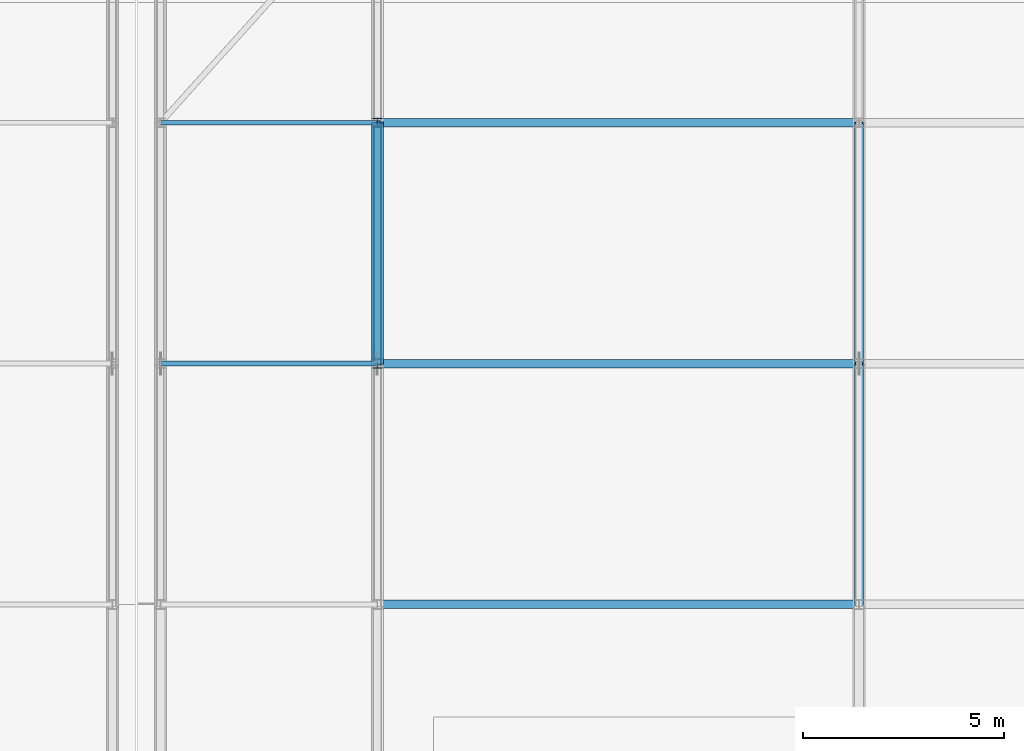
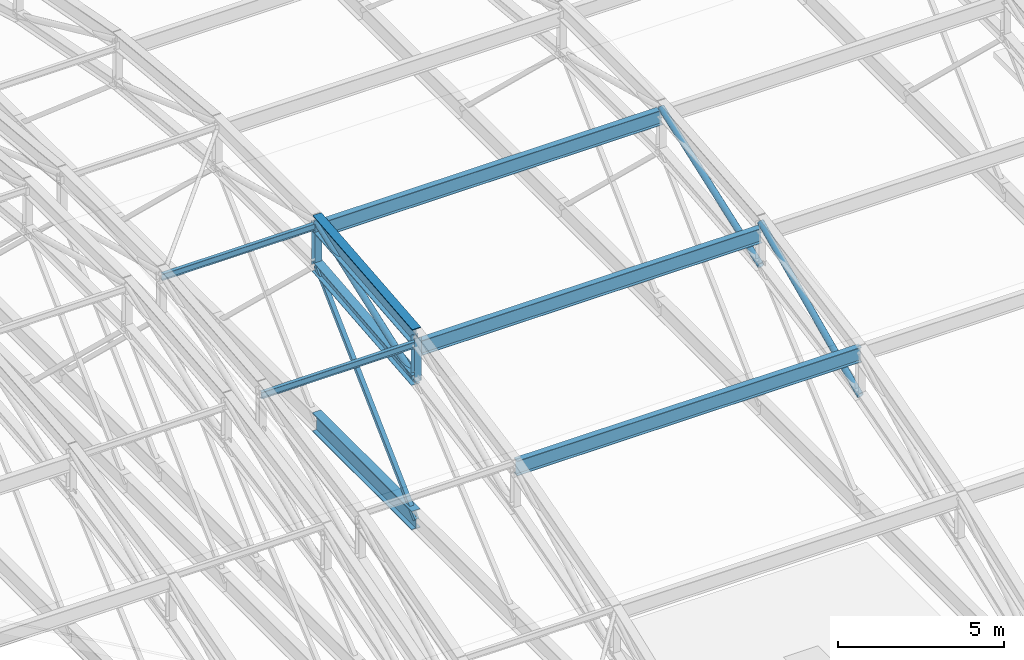
# One storey, part 126 of 204: 14 members.
"""IFC4 building model written with IfcOpenShell, lengths in metres."""

from ifc_helpers import new_model, si_unit, direction, frame, origin, origin_2d, place, context, subcontext, project, spatial, hollow_rectangle, hollow_circle, i_section, extrude, material, material_profile, profile_set, type_object, element, save


model = new_model("IFC4")

# Units and contexts
model_context = context("Model", 3, precision=1e-05, world=origin(), true_north=direction((0.0, 1.0)))
body_context = subcontext(model_context, "Body", "Model", "MODEL_VIEW")
ifc_project = project(units=[si_unit("LENGTHUNIT", "METRE"), si_unit("AREAUNIT", "SQUARE_METRE"), si_unit("VOLUMEUNIT", "CUBIC_METRE"), si_unit("PLANEANGLEUNIT", "RADIAN"), si_unit("MASSUNIT", "GRAM", prefix="KILO")], contexts=[model_context])

# Site, building, storey
site_placement = place(None, origin())
site = spatial("IfcSite", under=ifc_project, at=site_placement, CompositionType="ELEMENT")
building_placement = place(site_placement, origin())
building = spatial("IfcBuilding", under=site, at=building_placement, Name="Zilviju Railside Exhibition Hall", CompositionType="ELEMENT")
storey_placement = place(building_placement, frame((0.0, 0.0, 21.0)))
storey = spatial("IfcBuildingStorey", under=building, at=storey_placement, Name="RF", CompositionType="ELEMENT", Elevation=21.0)

# Members
ifc_material = material(Name="Steel S355J2", Category="steel")
ifc_material_profile_1 = material_profile(ifc_material, hollow_circle(Radius=0.109619140625, WallThickness=0.010009765625, at=origin_2d()), Name="CHS 219.1x10.0")
ifc_profile_set_1 = profile_set([ifc_material_profile_1], Name="Steel S355J2")
member_type_1 = type_object("IfcMemberType", Name="TR-BR-CHS219", PredefinedType="BRACE", material=ifc_profile_set_1)
member_1_placement = place(storey_placement, frame((180.0, 102.0, 1.5556640625), z_axis=(0.0, 0.940243888255, 0.340501733621), x_axis=(-1.0, 0.0, 0.0)))
element("IfcMember", 1, at=member_1_placement, inside=storey, type_object=member_type_1, Name="V2 Parabolic Arch Web Diagonal X=180.0 P4", PredefinedType="BRACE", context=body_context, shape_type="SweptSolid", body=[
    extrude(hollow_circle(Radius=0.109619140625, WallThickness=0.010009765625, at=origin_2d()), origin(), (0.0, 0.0, 1.0), 6.38134765625),
])
member_2_placement = place(storey_placement, frame((192.0, 96.0, 0.409912109375), z_axis=(0.0, 0.909316915895, 0.416104249518), x_axis=(-1.0, 0.0, 0.0)))
element("IfcMember", 2, at=member_2_placement, inside=storey, type_object=member_type_1, Name="V2 Parabolic Arch Web Diagonal X=192.0 P3", PredefinedType="BRACE", context=body_context, shape_type="SweptSolid", body=[
    extrude(hollow_circle(Radius=0.109619140625, WallThickness=0.010009765625, at=origin_2d()), origin(), (0.0, 0.0, 1.0), 6.598388671875),
])
member_3_placement = place(storey_placement, frame((192.0, 102.0, 1.5556640625), z_axis=(0.0, 0.940243888255, 0.340501733621), x_axis=(-1.0, 0.0, 0.0)))
element("IfcMember", 3, at=member_3_placement, inside=storey, type_object=member_type_1, Name="V2 Parabolic Arch Web Diagonal X=192.0 P4", PredefinedType="BRACE", context=body_context, shape_type="SweptSolid", body=[
    extrude(hollow_circle(Radius=0.109619140625, WallThickness=0.010009765625, at=origin_2d()), origin(), (0.0, 0.0, 1.0), 6.38134765625),
])
ifc_material_profile_2 = material_profile(ifc_material, i_section(OverallWidth=0.300048828125, OverallDepth=0.39990234375, WebThickness=0.013427734375, FlangeThickness=0.02392578125, at=origin_2d()), Name="HEB 400")
ifc_profile_set_2 = profile_set([ifc_material_profile_2], Name="Steel S355J2")
member_type_2 = type_object("IfcMemberType", Name="TR-CH-HEB400", PredefinedType="CHORD", material=ifc_profile_set_2)
member_4_placement = place(storey_placement, frame((180.0, 102.0, 1.5556640625), z_axis=(0.0, 0.995474695123, 0.095027003367), x_axis=(-1.0, 0.0, 0.0)))
element("IfcMember", 4, at=member_4_placement, inside=storey, type_object=member_type_2, Name="V2 Parabolic Arch Bottom Chord X=180.0 P4", PredefinedType="CHORD", context=body_context, shape_type="SweptSolid", body=[
    extrude(i_section(OverallWidth=0.300048828125, OverallDepth=0.39990234375, WebThickness=0.013427734375, FlangeThickness=0.02392578125, at=origin_2d()), origin(), (0.0, 0.0, 1.0), 6.02734375),
])
ifc_material_profile_3 = material_profile(ifc_material, i_section(OverallWidth=0.300048828125, OverallDepth=0.60009765625, WebThickness=0.015380859375, FlangeThickness=0.030029296875, at=origin_2d()), Name="HEB 600")
ifc_profile_set_3 = profile_set([ifc_material_profile_3], Name="Steel S355J2")
member_type_3 = type_object("IfcMemberType", Name="TR-CH-HEB600", PredefinedType="CHORD", material=ifc_profile_set_3)
member_5_placement = place(storey_placement, frame((180.0, 102.0, 3.155517578125), z_axis=(0.0, 0.995470862587, 0.095067143331), x_axis=(-1.0, 0.0, 0.0)))
element("IfcMember", 5, at=member_5_placement, inside=storey, type_object=member_type_3, Name="V2 Parabolic Arch Top Chord X=180.0 P4", PredefinedType="CHORD", context=body_context, shape_type="SweptSolid", body=[
    extrude(i_section(OverallWidth=0.300048828125, OverallDepth=0.60009765625, WebThickness=0.015380859375, FlangeThickness=0.030029296875, at=origin_2d()), origin(), (0.0, 0.0, 1.0), 6.02734375),
])
ifc_material_profile_4 = material_profile(ifc_material, i_section(OverallWidth=0.239990234375, OverallDepth=0.22998046875, WebThickness=0.007568359375, FlangeThickness=0.011962890625, at=origin_2d()), Name="HEA 240")
ifc_profile_set_4 = profile_set([ifc_material_profile_4], Name="Steel S355J2")
member_type_4 = type_object("IfcMemberType", Name="TR-POST-HEA240", PredefinedType="POST", material=ifc_profile_set_4)
member_6_placement = place(storey_placement, frame((180.0, 102.0, 1.5556640625), z_axis=(0.0, 0.0, 1.0), x_axis=(1.0, 0.0, 0.0)))
element("IfcMember", 6, at=member_6_placement, inside=storey, type_object=member_type_4, Name="V2 Parabolic Arch Web Post X=180.0 N3", PredefinedType="POST", context=body_context, shape_type="SweptSolid", body=[
    extrude(i_section(OverallWidth=0.239990234375, OverallDepth=0.22998046875, WebThickness=0.007568359375, FlangeThickness=0.011962890625, at=origin_2d()), origin(), (0.0, 0.0, 1.0), 1.599853515625),
])
member_7_placement = place(storey_placement, frame((180.0, 108.0, 2.12841796875), z_axis=(0.0, 0.0, 1.0), x_axis=(1.0, 0.0, 0.0)))
element("IfcMember", 7, at=member_7_placement, inside=storey, type_object=member_type_4, Name="V2 Parabolic Arch Web Post X=180.0 N4", PredefinedType="POST", context=body_context, shape_type="SweptSolid", body=[
    extrude(i_section(OverallWidth=0.239990234375, OverallDepth=0.22998046875, WebThickness=0.007568359375, FlangeThickness=0.011962890625, at=origin_2d()), origin(), (0.0, 0.0, 1.0), 1.60009765625),
])
ifc_material_profile_5 = material_profile(ifc_material, hollow_rectangle(XDim=0.14990234375, YDim=0.14990234375, WallThickness=0.008056640625, at=origin_2d()), Name="SHS 150x150x8.0")
ifc_profile_set_5 = profile_set([ifc_material_profile_5], Name="Steel S355J2")
member_type_5 = type_object("IfcMemberType", Name="TR-POST-SHS150", PredefinedType="POST", material=ifc_profile_set_5)
member_8_placement = place(storey_placement, frame((180.0, 102.0, -3.60009765625), z_axis=(0.0, 0.723280707221, 0.690554138763), x_axis=(-1.0, 0.0, 0.0)))
element("IfcMember", 8, at=member_8_placement, inside=storey, type_object=member_type_5, Name="V2 Arch Tie Hanger X=180.0 N3", PredefinedType="POST", context=body_context, shape_type="SweptSolid", body=[
    extrude(hollow_rectangle(XDim=0.14990234375, YDim=0.14990234375, WallThickness=0.008056640625, at=origin_2d()), origin(), (0.0, 0.0, 1.0), 8.295654296875),
])
ifc_material_profile_6 = material_profile(ifc_material, i_section(OverallWidth=0.1201171875, OverallDepth=0.239990234375, WebThickness=0.006103515625, FlangeThickness=0.009765625, at=origin_2d()), Name="IPE 240")
ifc_profile_set_6 = profile_set([ifc_material_profile_6], Name="Steel S355J2")
member_type_6 = type_object("IfcMemberType", Name="TR-PUR-IPE240", PredefinedType="PURLIN", material=ifc_profile_set_6)
for number, where, z_axis, x_axis, name in (
    (9, (174.60009765625, 102.0, 2.877197265625), (1.0, 0.0, 0.0), (0.0, 1.0, 0.0), "V2 Barrel Vault Roof Purlin Y=102.0 (174.6..180.0)"),
    (10, (174.60009765625, 108.0, 3.593017578125), (1.0, 0.0, 0.0), (0.0, 1.0, 0.0), "V2 Barrel Vault Roof Purlin Y=108.0 (174.6..180.0)"),
):
    element("IfcMember", number, at=place(storey_placement, frame(where, z_axis=z_axis, x_axis=x_axis)), inside=storey, type_object=member_type_6, Name=name, PredefinedType="PURLIN", context=body_context, shape_type="SweptSolid", body=[
        extrude(i_section(OverallWidth=0.1201171875, OverallDepth=0.239990234375, WebThickness=0.006103515625, FlangeThickness=0.009765625, at=origin_2d()), origin(), (0.0, 0.0, 1.0), 5.39990234375),
    ])
ifc_material_profile_7 = material_profile(ifc_material, i_section(OverallWidth=0.2099609375, OverallDepth=0.550048828125, WebThickness=0.010986328125, FlangeThickness=0.01708984375, at=origin_2d()), Name="IPE 550")
ifc_profile_set_7 = profile_set([ifc_material_profile_7], Name="Steel S355J2")
member_type_7 = type_object("IfcMemberType", Name="TR-PUR-IPE550", PredefinedType="PURLIN", material=ifc_profile_set_7)
for number, where, z_axis, x_axis, name in (
    (11, (180.0, 96.0, 1.97509765625), (1.0, 0.0, 0.0), (0.0, 1.0, 0.0), "V2 Barrel Vault Roof Purlin Y=96.0 (180.0..192.0)"),
    (12, (180.0, 102.0, 2.716796875), (1.0, 0.0, 0.0), (0.0, 1.0, 0.0), "V2 Barrel Vault Roof Purlin Y=102.0 (180.0..192.0)"),
    (13, (180.0, 108.0, 3.4326171875), (1.0, 0.0, 0.0), (0.0, 1.0, 0.0), "V2 Barrel Vault Roof Purlin Y=108.0 (180.0..192.0)"),
):
    element("IfcMember", number, at=place(storey_placement, frame(where, z_axis=z_axis, x_axis=x_axis)), inside=storey, type_object=member_type_7, Name=name, PredefinedType="PURLIN", context=body_context, shape_type="SweptSolid", body=[
        extrude(i_section(OverallWidth=0.2099609375, OverallDepth=0.550048828125, WebThickness=0.010986328125, FlangeThickness=0.01708984375, at=origin_2d()), origin(), (0.0, 0.0, 1.0), 12.0),
    ])
ifc_material_profile_8 = material_profile(ifc_material, i_section(OverallWidth=0.300048828125, OverallDepth=0.699951171875, WebThickness=0.01708984375, FlangeThickness=0.031982421875, at=origin_2d()), Name="HEB 700")
ifc_profile_set_8 = profile_set([ifc_material_profile_8], Name="Steel S355J2")
member_type_8 = type_object("IfcMemberType", Name="TR-TIE-HEB700", PredefinedType="CHORD", material=ifc_profile_set_8)
member_9_placement = place(storey_placement, frame((180.0, 102.0, -3.60009765625), z_axis=(0.0, 1.0, 0.0), x_axis=(-1.0, 0.0, 0.0)))
element("IfcMember", 14, at=member_9_placement, inside=storey, type_object=member_type_8, Name="V2 Arch Tie Member X=180.0", PredefinedType="CHORD", context=body_context, shape_type="SweptSolid", body=[
    extrude(i_section(OverallWidth=0.300048828125, OverallDepth=0.699951171875, WebThickness=0.01708984375, FlangeThickness=0.031982421875, at=origin_2d()), origin(), (0.0, 0.0, 1.0), 6.0),
])

save(model, "model.ifc")
